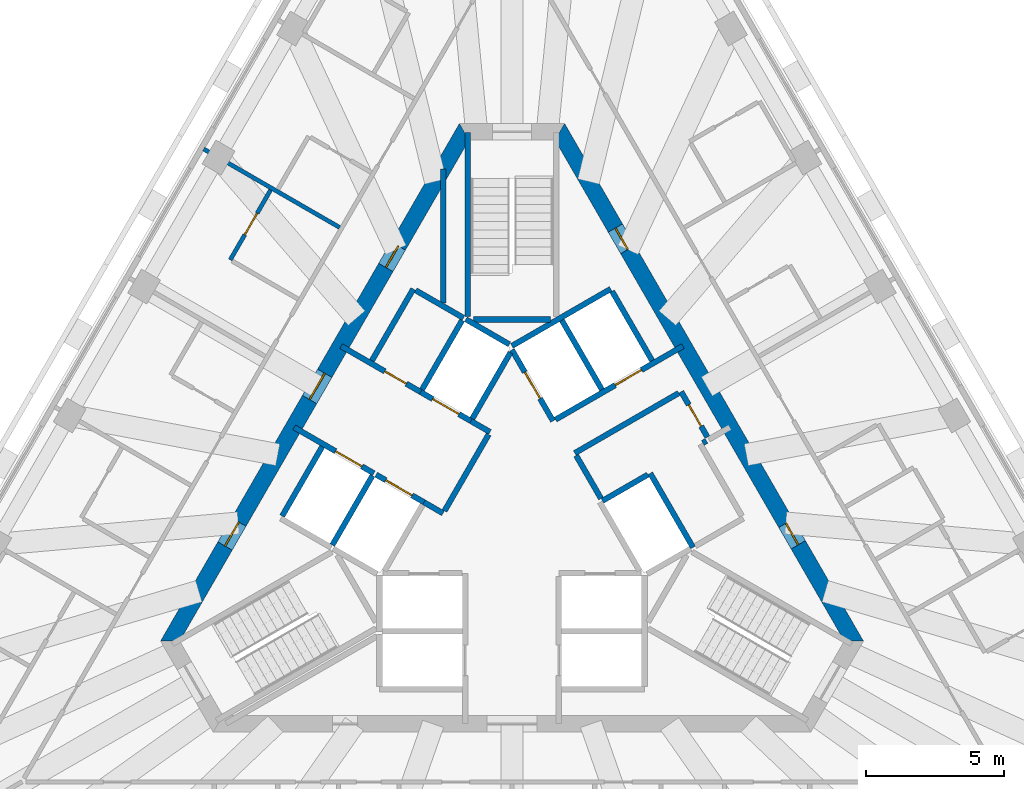
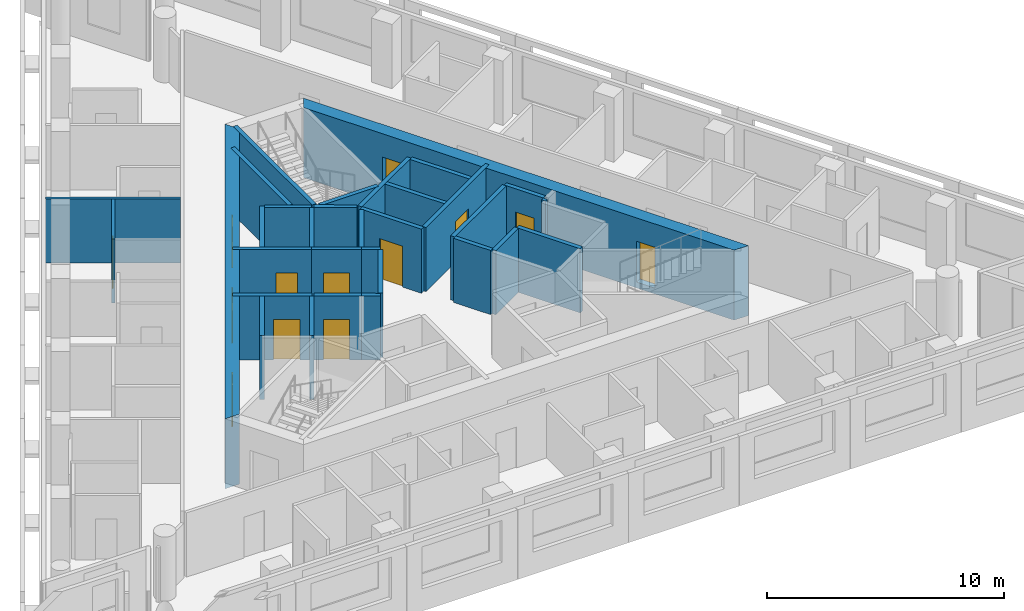
# One storey, part 5 of 10: 32 walls, 13 doors, 13 openings.
"""IFC4 building model written with IfcOpenShell, lengths in metres."""

from ifc_helpers import new_model, si_unit, direction, frame, frame_2d, origin, place, context, subcontext, project, spatial, polyline, rectangle, outline, extrude, material, layer, layer_set, type_object, element, fill, save


model = new_model("IFC4")

# Units and contexts
model_context = context("Model", 3, precision=1e-05, world=origin(), true_north=direction((0.0, 1.0)))
body_context = subcontext(model_context, "Body", "Model", "MODEL_VIEW")
ifc_project = project(units=[si_unit("LENGTHUNIT", "METRE"), si_unit("AREAUNIT", "SQUARE_METRE"), si_unit("VOLUMEUNIT", "CUBIC_METRE"), si_unit("PLANEANGLEUNIT", "RADIAN"), si_unit("MASSUNIT", "GRAM", prefix="KILO")], contexts=[model_context])

# Site, building, storey
site_placement = place(None, origin())
site = spatial("IfcSite", under=ifc_project, at=site_placement, CompositionType="ELEMENT")
building_placement = place(site_placement, origin())
building = spatial("IfcBuilding", under=site, at=building_placement, Name="Triada Interchange Tower", CompositionType="ELEMENT")
storey_placement = place(building_placement, frame((0.0, 0.0, 293.5)))
storey = spatial("IfcBuildingStorey", under=building, at=storey_placement, Name="L69", CompositionType="ELEMENT", Elevation=293.5)

# Walls
ifc_material_1 = material(Name="Concrete C30/37", Category="concrete")
ifc_layer_1 = layer(ifc_material_1, 0.199951171875)
ifc_layer_set_1 = layer_set([ifc_layer_1], Name="CORE WALL 200 EI 120")
wall_type_1 = type_object("IfcWallType", Name="CORE WALL 200 EI 120", PredefinedType="SOLIDWALL", material=ifc_layer_set_1)
wall_1_placement = place(storey_placement, frame((-8.325927734375, -0.6201171875, 0.0), z_axis=(0.0, 0.0, 1.0), x_axis=(0.500023687443, 0.866011727401, 0.0)))
element("IfcWall", 1, at=wall_1_placement, inside=storey, type_object=wall_type_1, Name="Wall L68 67", PredefinedType="SOLIDWALL", context=body_context, shape_type="SweptSolid", body=[
    extrude(rectangle(XDim=2.899658203125, YDim=0.199951171875, at=frame_2d((1.44970703125, 0.0))), origin(), (0.0, 0.0, 1.0), 3.300048828125),
])
wall_2_placement = place(storey_placement, frame((-0.001953125, 5.541015625, 0.0), z_axis=(0.0, 0.0, 1.0), x_axis=(0.86600155993, 0.500041296494, 0.0)))
element("IfcWall", 2, at=wall_2_placement, inside=storey, type_object=wall_type_1, Name="Wall L68 77", PredefinedType="SOLIDWALL", context=body_context, shape_type="SweptSolid", body=[
    extrude(rectangle(XDim=4.131591796875, YDim=0.199951171875, at=frame_2d((2.06591796875, 0.0))), origin(), (0.0, 0.0, 1.0), 3.300048828125),
])

# Wall, opening, door
wall_3_placement = place(storey_placement, frame((0.0, 5.39990234375, 0.0), z_axis=(0.0, 0.0, 1.0), x_axis=(0.500103862429, -0.865965430478, 0.0)))
wall_3 = element("IfcWall", 3, at=wall_3_placement, inside=storey, type_object=wall_type_1, Name="Wall L68 78", PredefinedType="SOLIDWALL", context=body_context, shape_type="SweptSolid", body=[
    extrude(rectangle(XDim=2.973388671875, YDim=0.199951171875, at=frame_2d((1.48681640625, 0.0))), origin(), (0.0, 0.0, 1.0), 3.300048828125),
])
opening_1_placement = place(wall_3_placement, frame((0.93701171875, 0.0, 0.0)))
opening_1 = element("IfcOpeningElement", 4, at=opening_1_placement, cuts=wall_3, Name="Opening LD-HR5", PredefinedType="OPENING", context=body_context, shape_type="SweptSolid", body=[
    extrude(rectangle(XDim=1.10009765625, YDim=2.10009765625, at=frame_2d((0.550048828125, 1.050048828125))), frame((0.0, 0.10986328125, 0.0), z_axis=(0.0, -1.0, 0.0), x_axis=(1.0, 0.0, 0.0)), (0.0, 0.0, 1.0), 0.219970703125),
])
ifc_material_2 = material(Name="Steel S235 door leaf", Category="steel")
door_type_1 = type_object("IfcDoorType", Name="LIFT LANDING DOOR 1100 EI 120", OperationType="SLIDING_TO_LEFT", PredefinedType="DOOR", material=ifc_material_2)
door_1_placement = place(opening_1_placement, origin())
door_1 = element("IfcDoor", 5, at=door_1_placement, inside=storey, type_object=door_type_1, Name="HR5 landing door L69", OperationType="SLIDING_TO_LEFT", OverallHeight=2.10009765625, OverallWidth=1.10009765625, PredefinedType="DOOR", context=body_context, shape_type="SweptSolid", body=[
    extrude(rectangle(XDim=1.10009765625, YDim=2.10009765625, at=frame_2d((0.550048828125, 1.050048828125))), frame((0.0, 0.02490234375, 0.0), z_axis=(0.0, -1.0, 0.0), x_axis=(1.0, 0.0, 0.0)), (0.0, 0.0, 1.0), 0.050048828125),
])
fill(opening_1, door_1)

wall_4_placement = place(storey_placement, frame((1.577880859375, 2.8740234375, 0.0), z_axis=(0.0, 0.0, 1.0), x_axis=(0.866045911672, 0.499964477614, 0.0)))
wall_4 = element("IfcWall", 6, at=wall_4_placement, inside=storey, type_object=wall_type_1, Name="Wall L68 80", PredefinedType="SOLIDWALL", context=body_context, shape_type="SweptSolid", body=[
    extrude(rectangle(XDim=5.32666015625, YDim=0.199951171875, at=frame_2d((2.663330078125, 0.0))), origin(), (0.0, 0.0, 1.0), 3.300048828125),
])
opening_2_placement = place(wall_4_placement, frame((2.49609375, 0.0, 0.0)))
opening_2 = element("IfcOpeningElement", 7, at=opening_2_placement, cuts=wall_4, Name="Opening LD-HR6", PredefinedType="OPENING", context=body_context, shape_type="SweptSolid", body=[
    extrude(rectangle(XDim=1.10009765625, YDim=2.10009765625, at=frame_2d((0.550048828125, 1.050048828125))), frame((0.0, 0.10986328125, 0.0), z_axis=(0.0, -1.0, 0.0), x_axis=(1.0, 0.0, 0.0)), (0.0, 0.0, 1.0), 0.219970703125),
])
door_2_placement = place(opening_2_placement, origin())
door_2 = element("IfcDoor", 8, at=door_2_placement, inside=storey, type_object=door_type_1, Name="HR6 landing door L69", OperationType="SLIDING_TO_LEFT", OverallHeight=2.10009765625, OverallWidth=1.10009765625, PredefinedType="DOOR", context=body_context, shape_type="SweptSolid", body=[
    extrude(rectangle(XDim=1.10009765625, YDim=2.10009765625, at=frame_2d((0.550048828125, 1.050048828125))), frame((0.0, 0.02490234375, 0.0), z_axis=(0.0, -1.0, 0.0), x_axis=(1.0, 0.0, 0.0)), (0.0, 0.0, 1.0), 0.050048828125),
])
fill(opening_2, door_2)

# Walls
for number, where, z_axis, x_axis, name in (
    (9, (3.6259765625, 7.52001953125, 0.0), (0.0, 0.0, 1.0), (0.500060147554, -0.865990674793, 0.0), "Wall L68 83"),
    (10, (1.806884765625, 6.469970703125, 0.0), (0.0, 0.0, 1.0), (0.50012328804, -0.865954211699, 0.0), "Wall L68 84"),
):
    element("IfcWall", number, at=place(storey_placement, frame(where, z_axis=z_axis, x_axis=x_axis)), inside=storey, type_object=wall_type_1, Name=name, PredefinedType="SOLIDWALL", context=body_context, shape_type="SweptSolid", body=[
        extrude(rectangle(XDim=2.899658203125, YDim=0.199951171875, at=frame_2d((1.44970703125, 0.0))), origin(), (0.0, 0.0, 1.0), 3.300048828125),
    ])
wall_5_placement = place(storey_placement, frame((5.007080078125, 0.927978515625, 0.0), z_axis=(0.0, 0.0, 1.0), x_axis=(0.499899694197, -0.866083307622, 0.0)))
element("IfcWall", 11, at=wall_5_placement, inside=storey, type_object=wall_type_1, Name="Wall L68 85", PredefinedType="SOLIDWALL", context=body_context, shape_type="SweptSolid", body=[
    extrude(rectangle(XDim=3.100341796875, YDim=0.199951171875, at=frame_2d((1.55029296875, 0.0))), origin(), (0.0, 0.0, 1.0), 3.300048828125),
])
wall_6_placement = place(storey_placement, frame((3.278076171875, -0.071044921875, 0.0), z_axis=(0.0, 0.0, 1.0), x_axis=(0.865784509405, 0.500417009377, 0.0)))
element("IfcWall", 12, at=wall_6_placement, inside=storey, type_object=wall_type_1, Name="Wall L68 86", PredefinedType="SOLIDWALL", context=body_context, shape_type="SweptSolid", body=[
    extrude(rectangle(XDim=1.896484375, YDim=0.199951171875, at=frame_2d((0.9482421875, 0.0))), origin(), (0.0, 0.0, 1.0), 3.300048828125),
])

# Wall, opening, door
wall_7_placement = place(storey_placement, frame((6.12890625, 3.885009765625, 0.0), z_axis=(0.0, 0.0, 1.0), x_axis=(0.499952260202, -0.866052964615, 0.0)))
wall_7 = element("IfcWall", 13, at=wall_7_placement, inside=storey, type_object=wall_type_1, Name="Wall L68 88", PredefinedType="SOLIDWALL", context=body_context, shape_type="SweptSolid", body=[
    extrude(rectangle(XDim=1.900634765625, YDim=0.199951171875, at=frame_2d((0.9501953125, 0.0))), origin(), (0.0, 0.0, 1.0), 3.300048828125),
])
opening_3_placement = place(wall_7_placement, frame((0.550048828125, 0.0, 0.0)))
opening_3 = element("IfcOpeningElement", 14, at=opening_3_placement, cuts=wall_7, Name="Opening D68-57", PredefinedType="OPENING", context=body_context, shape_type="SweptSolid", body=[
    extrude(rectangle(XDim=0.89990234375, YDim=2.10009765625, at=frame_2d((0.449951171875, 1.050048828125))), frame((0.0, 0.10986328125, 0.0), z_axis=(0.0, -1.0, 0.0), x_axis=(1.0, 0.0, 0.0)), (0.0, 0.0, 1.0), 0.219970703125),
])
door_type_2 = type_object("IfcDoorType", Name="SERVICE DOOR 900 EI2 45-C5S200", OperationType="NOTDEFINED", PredefinedType="DOOR", material=ifc_material_2)
door_3_placement = place(opening_3_placement, origin())
door_3 = element("IfcDoor", 15, at=door_3_placement, inside=storey, type_object=door_type_2, Name="Door D68-57 L69", OperationType="SINGLE_SWING_LEFT", OverallHeight=2.10009765625, OverallWidth=0.89990234375, PredefinedType="DOOR", context=body_context, shape_type="SweptSolid", body=[
    extrude(rectangle(XDim=0.89990234375, YDim=2.10009765625, at=frame_2d((0.449951171875, 1.050048828125))), frame((0.0, 0.02490234375, 0.0), z_axis=(0.0, -1.0, 0.0), x_axis=(1.0, 0.0, 0.0)), (0.0, 0.0, 1.0), 0.050048828125),
])
fill(opening_3, door_3)

# Walls
wall_8_placement = place(storey_placement, frame((2.27490234375, 1.659912109375, 0.0), z_axis=(0.0, 0.0, 1.0), x_axis=(0.866013608182, 0.500020430026, 0.0)))
element("IfcWall", 16, at=wall_8_placement, inside=storey, type_object=wall_type_1, Name="Wall L68 89", PredefinedType="SOLIDWALL", context=body_context, shape_type="SweptSolid", body=[
    extrude(rectangle(XDim=4.349853515625, YDim=0.199951171875, at=frame_2d((2.1748046875, 0.0))), origin(), (0.0, 0.0, 1.0), 3.300048828125),
])
wall_9_placement = place(storey_placement, frame((2.324951171875, 1.572998046875, 0.0), z_axis=(0.0, 0.0, 1.0), x_axis=(0.500004188491, -0.866022985545, 0.0)))
element("IfcWall", 17, at=wall_9_placement, inside=storey, type_object=wall_type_1, Name="Wall L68 90", PredefinedType="SOLIDWALL", context=body_context, shape_type="SweptSolid", body=[
    extrude(rectangle(XDim=1.80029296875, YDim=0.199951171875, at=frame_2d((0.900146484375, 0.0))), origin(), (0.0, 0.0, 1.0), 3.300048828125),
])

# Wall, opening, door
ifc_layer_2 = layer(ifc_material_1, 0.199951171875)
ifc_layer_set_2 = layer_set([ifc_layer_2], Name="CORE WALL 200 EI 180")
wall_type_2 = type_object("IfcWallType", Name="CORE WALL 200 EI 180", PredefinedType="SOLIDWALL", material=ifc_layer_set_2)
wall_10_placement = place(storey_placement, frame((-7.89111328125, 2.593017578125, 0.0), z_axis=(0.0, 0.0, 1.0), x_axis=(0.866070917804, -0.499921159118, 0.0)))
wall_10 = element("IfcWall", 18, at=wall_10_placement, inside=storey, type_object=wall_type_2, Name="Wall L68 92", PredefinedType="SOLIDWALL", context=body_context, shape_type="SweptSolid", body=[
    extrude(rectangle(XDim=3.33251953125, YDim=0.199951171875, at=frame_2d((1.666259765625, 0.0))), origin(), (0.0, 0.0, 1.0), 3.300048828125),
])
opening_4_placement = place(wall_10_placement, frame((1.72998046875, 0.0, 0.0)))
opening_4 = element("IfcOpeningElement", 19, at=opening_4_placement, cuts=wall_10, Name="Opening LD-SV1", PredefinedType="OPENING", context=body_context, shape_type="SweptSolid", body=[
    extrude(rectangle(XDim=1.10009765625, YDim=2.10009765625, at=frame_2d((0.550048828125, 1.050048828125))), frame((0.0, 0.10986328125, 0.0), z_axis=(0.0, -1.0, 0.0), x_axis=(1.0, 0.0, 0.0)), (0.0, 0.0, 1.0), 0.219970703125),
])
door_4_placement = place(opening_4_placement, origin())
door_4 = element("IfcDoor", 20, at=door_4_placement, inside=storey, type_object=door_type_1, Name="SV1 landing door L69", OperationType="SLIDING_TO_LEFT", OverallHeight=2.10009765625, OverallWidth=1.10009765625, PredefinedType="DOOR", context=body_context, shape_type="SweptSolid", body=[
    extrude(rectangle(XDim=1.10009765625, YDim=2.10009765625, at=frame_2d((0.550048828125, 1.050048828125))), frame((0.0, 0.02490234375, 0.0), z_axis=(0.0, -1.0, 0.0), x_axis=(1.0, 0.0, 0.0)), (0.0, 0.0, 1.0), 0.050048828125),
])
fill(opening_4, door_4)

# Wall
wall_11_placement = place(storey_placement, frame((-3.18798828125, -0.1220703125, 0.0), z_axis=(0.0, 0.0, 1.0), x_axis=(0.865705793592, -0.50055317294, 0.0)))
element("IfcWall", 21, at=wall_11_placement, inside=storey, type_object=wall_type_2, Name="Wall L68 93", PredefinedType="SOLIDWALL", context=body_context, shape_type="SweptSolid", body=[
    extrude(rectangle(XDim=0.796875, YDim=0.199951171875, at=frame_2d((0.3984375, 0.0))), origin(), (0.0, 0.0, 1.0), 3.300048828125),
])

# Wall, opening, door
wall_12_placement = place(storey_placement, frame((-6.19091796875, 5.537109375, 0.0), z_axis=(0.0, 0.0, 1.0), x_axis=(0.866052607023, -0.499952879648, 0.0)))
wall_12 = element("IfcWall", 22, at=wall_12_placement, inside=storey, type_object=wall_type_2, Name="Wall L68 94", PredefinedType="SOLIDWALL", context=body_context, shape_type="SweptSolid", body=[
    extrude(rectangle(XDim=3.332275390625, YDim=0.199951171875, at=frame_2d((1.666015625, 0.0))), origin(), (0.0, 0.0, 1.0), 3.300048828125),
])
opening_5_placement = place(wall_12_placement, frame((1.830078125, 0.0, 0.0)))
opening_5 = element("IfcOpeningElement", 23, at=opening_5_placement, cuts=wall_12, Name="Opening D68-10", PredefinedType="OPENING", context=body_context, shape_type="SweptSolid", body=[
    extrude(rectangle(XDim=0.89990234375, YDim=2.10009765625, at=frame_2d((0.449951171875, 1.050048828125))), frame((0.0, 0.10986328125, 0.0), z_axis=(0.0, -1.0, 0.0), x_axis=(1.0, 0.0, 0.0)), (0.0, 0.0, 1.0), 0.219970703125),
])
door_type_3 = type_object("IfcDoorType", Name="SERVICE DOOR 900 EI2 90-C5S200", OperationType="NOTDEFINED", PredefinedType="DOOR", material=ifc_material_2)
door_5_placement = place(opening_5_placement, origin())
door_5 = element("IfcDoor", 24, at=door_5_placement, inside=storey, type_object=door_type_3, Name="Door D68-10 L69", OperationType="SINGLE_SWING_LEFT", OverallHeight=2.10009765625, OverallWidth=0.89990234375, PredefinedType="DOOR", context=body_context, shape_type="SweptSolid", body=[
    extrude(rectangle(XDim=0.89990234375, YDim=2.10009765625, at=frame_2d((0.449951171875, 1.050048828125))), frame((0.0, 0.02490234375, 0.0), z_axis=(0.0, -1.0, 0.0), x_axis=(1.0, 0.0, 0.0)), (0.0, 0.0, 1.0), 0.050048828125),
])
fill(opening_5, door_5)

# Walls
wall_13_placement = place(storey_placement, frame((-1.488037109375, 2.822021484375, 0.0), z_axis=(0.0, 0.0, 1.0), x_axis=(0.866236612152, -0.499633997809, 0.0)))
element("IfcWall", 25, at=wall_13_placement, inside=storey, type_object=wall_type_2, Name="Wall L68 95", PredefinedType="SOLIDWALL", context=body_context, shape_type="SweptSolid", body=[
    extrude(rectangle(XDim=0.79638671875, YDim=0.199951171875, at=frame_2d((0.398193359375, 0.0))), origin(), (0.0, 0.0, 1.0), 3.300048828125),
])
wall_14_placement = place(storey_placement, frame((-5.075927734375, 5.009033203125, 0.0), z_axis=(0.0, 0.0, 1.0), x_axis=(0.50002537861, 0.866010750942, 0.0)))
element("IfcWall", 26, at=wall_14_placement, inside=storey, type_object=wall_type_2, Name="Wall L68 96", PredefinedType="SOLIDWALL", context=body_context, shape_type="SweptSolid", body=[
    extrude(rectangle(XDim=2.999755859375, YDim=0.199951171875, at=frame_2d((1.5, 0.0))), origin(), (0.0, 0.0, 1.0), 3.300048828125),
])
wall_15_placement = place(storey_placement, frame((-3.489013671875, 7.556884765625, 0.0), z_axis=(0.0, 0.0, 1.0), x_axis=(0.866010750942, -0.50002537861, 0.0)))
element("IfcWall", 27, at=wall_15_placement, inside=storey, type_object=wall_type_2, Name="Wall L68 97", PredefinedType="SOLIDWALL", context=body_context, shape_type="SweptSolid", body=[
    extrude(rectangle(XDim=2.0, YDim=0.199951171875, at=frame_2d((1.0, 0.0))), origin(), (0.0, 0.0, 1.0), 3.300048828125),
])
wall_16_placement = place(storey_placement, frame((-2.444091796875, -0.43310546875, 0.0), z_axis=(0.0, 0.0, 1.0), x_axis=(0.500035624827, 0.866004834804, 0.0)))
element("IfcWall", 28, at=wall_16_placement, inside=storey, type_object=wall_type_2, Name="Wall L68 98", PredefinedType="SOLIDWALL", context=body_context, shape_type="SweptSolid", body=[
    extrude(rectangle(XDim=3.194091796875, YDim=0.199951171875, at=frame_2d((1.59716796875, 0.0))), origin(), (0.0, 0.0, 1.0), 3.300048828125),
])
wall_17_placement = place(storey_placement, frame((-6.507080078125, -1.669921875, 0.0), z_axis=(0.0, 0.0, 1.0), x_axis=(0.50012328804, 0.865954211699, 0.0)))
element("IfcWall", 29, at=wall_17_placement, inside=storey, type_object=wall_type_2, Name="Shaft wall FF1 L68 99", PredefinedType="SOLIDWALL", context=body_context, shape_type="SweptSolid", body=[
    extrude(rectangle(XDim=2.899658203125, YDim=0.199951171875, at=frame_2d((1.44970703125, 0.0))), origin(), (0.0, 0.0, 1.0), 3.300048828125),
])

# Wall, opening, door
wall_18_placement = place(storey_placement, frame((-4.922119140625, 0.87890625, 0.0), z_axis=(0.0, 0.0, 1.0), x_axis=(0.866073918653, -0.499915960366, 0.0)))
wall_18 = element("IfcWall", 30, at=wall_18_placement, inside=storey, type_object=wall_type_2, Name="Shaft wall FF1 L68 101", PredefinedType="SOLIDWALL", context=body_context, shape_type="SweptSolid", body=[
    extrude(rectangle(XDim=2.002197265625, YDim=0.199951171875, at=frame_2d((1.0009765625, 0.0))), origin(), (0.0, 0.0, 1.0), 3.300048828125),
])
opening_6_placement = place(wall_18_placement, frame((0.402099609375, 0.0, 0.0)))
opening_6 = element("IfcOpeningElement", 31, at=opening_6_placement, cuts=wall_18, Name="Opening LD-FF1", PredefinedType="OPENING", context=body_context, shape_type="SweptSolid", body=[
    extrude(rectangle(XDim=1.10009765625, YDim=2.10009765625, at=frame_2d((0.550048828125, 1.050048828125))), frame((0.0, 0.10986328125, 0.0), z_axis=(0.0, -1.0, 0.0), x_axis=(1.0, 0.0, 0.0)), (0.0, 0.0, 1.0), 0.219970703125),
])
door_6_placement = place(opening_6_placement, origin())
door_6 = element("IfcDoor", 32, at=door_6_placement, inside=storey, type_object=door_type_1, Name="FF1 landing door L69", OperationType="SLIDING_TO_LEFT", OverallHeight=2.10009765625, OverallWidth=1.10009765625, PredefinedType="DOOR", context=body_context, shape_type="SweptSolid", body=[
    extrude(rectangle(XDim=1.10009765625, YDim=2.10009765625, at=frame_2d((0.550048828125, 1.050048828125))), frame((0.0, 0.02490234375, 0.0), z_axis=(0.0, -1.0, 0.0), x_axis=(1.0, 0.0, 0.0)), (0.0, 0.0, 1.0), 0.050048828125),
])
fill(opening_6, door_6)

wall_19_placement = place(storey_placement, frame((-3.30908203125, 3.873046875, 0.0), z_axis=(0.0, 0.0, 1.0), x_axis=(0.866098583652, -0.499873227325, 0.0)))
wall_19 = element("IfcWall", 33, at=wall_19_placement, inside=storey, type_object=wall_type_2, Name="Shaft wall FF2 L68 103", PredefinedType="SOLIDWALL", context=body_context, shape_type="SweptSolid", body=[
    extrude(rectangle(XDim=2.1025390625, YDim=0.199951171875, at=frame_2d((1.05126953125, 0.0))), origin(), (0.0, 0.0, 1.0), 3.300048828125),
])
opening_7_placement = place(wall_19_placement, frame((0.501953125, 0.0, 0.0)))
opening_7 = element("IfcOpeningElement", 34, at=opening_7_placement, cuts=wall_19, Name="Opening LD-FF2", PredefinedType="OPENING", context=body_context, shape_type="SweptSolid", body=[
    extrude(rectangle(XDim=1.10009765625, YDim=2.10009765625, at=frame_2d((0.550048828125, 1.050048828125))), frame((0.0, 0.10986328125, 0.0), z_axis=(0.0, -1.0, 0.0), x_axis=(1.0, 0.0, 0.0)), (0.0, 0.0, 1.0), 0.219970703125),
])
door_7_placement = place(opening_7_placement, origin())
door_7 = element("IfcDoor", 35, at=door_7_placement, inside=storey, type_object=door_type_1, Name="FF2 landing door L69", OperationType="SLIDING_TO_LEFT", OverallHeight=2.10009765625, OverallWidth=1.10009765625, PredefinedType="DOOR", context=body_context, shape_type="SweptSolid", body=[
    extrude(rectangle(XDim=1.10009765625, YDim=2.10009765625, at=frame_2d((0.550048828125, 1.050048828125))), frame((0.0, 0.02490234375, 0.0), z_axis=(0.0, -1.0, 0.0), x_axis=(1.0, 0.0, 0.0)), (0.0, 0.0, 1.0), 0.050048828125),
])
fill(opening_7, door_7)

# Walls
wall_20_placement = place(storey_placement, frame((-3.257080078125, 3.958984375, 0.0), z_axis=(0.0, 0.0, 1.0), x_axis=(0.50012328804, 0.865954211699, 0.0)))
element("IfcWall", 36, at=wall_20_placement, inside=storey, type_object=wall_type_2, Name="Shaft wall FF2 L68 104", PredefinedType="SOLIDWALL", context=body_context, shape_type="SweptSolid", body=[
    extrude(rectangle(XDim=2.899658203125, YDim=0.199951171875, at=frame_2d((1.44970703125, 0.0))), origin(), (0.0, 0.0, 1.0), 3.300048828125),
])
wall_21_placement = place(storey_placement, frame((-1.669921875, 6.507080078125, 0.0), z_axis=(0.0, 0.0, 1.0), x_axis=(0.865941441609, -0.500145398563, 0.0)))
element("IfcWall", 37, at=wall_21_placement, inside=storey, type_object=wall_type_2, Name="Shaft wall FF2 L68 105", PredefinedType="SOLIDWALL", context=body_context, shape_type="SweptSolid", body=[
    extrude(rectangle(XDim=1.8154296875, YDim=0.199951171875, at=frame_2d((0.90771484375, 0.0))), origin(), (0.0, 0.0, 1.0), 3.300048828125),
])
wall_22_placement = place(storey_placement, frame((-1.43798828125, 2.908935546875, 0.0), z_axis=(0.0, 0.0, 1.0), x_axis=(0.499829630636, 0.866123744241, 0.0)))
element("IfcWall", 38, at=wall_22_placement, inside=storey, type_object=wall_type_2, Name="Shaft wall FF2 L68 106", PredefinedType="SOLIDWALL", context=body_context, shape_type="SweptSolid", body=[
    extrude(rectangle(XDim=2.7607421875, YDim=0.199951171875, at=frame_2d((1.38037109375, 0.0))), origin(), (0.0, 0.0, 1.0), 3.300048828125),
])
ifc_layer_3 = layer(ifc_material_1, 0.199951171875)
ifc_layer_set_3 = layer_set([ifc_layer_3], Name="CORE WALL 200 EI 90")
wall_type_3 = type_object("IfcWallType", Name="CORE WALL 200 EI 90", PredefinedType="SOLIDWALL", material=ifc_layer_set_3)
wall_23_placement = place(storey_placement, frame((-2.48291015625, 7.092041015625, 0.0), z_axis=(0.0, 0.0, 1.0), x_axis=(0.0, 1.0, 0.0)))
element("IfcWall", 39, at=wall_23_placement, inside=storey, type_object=wall_type_3, Name="Wall L68 108", PredefinedType="SOLIDWALL", context=body_context, shape_type="SweptSolid", body=[
    extrude(rectangle(XDim=4.866943359375, YDim=0.199951171875, at=frame_2d((2.43359375, 0.0))), origin(), (0.0, 0.0, 1.0), 3.300048828125),
])
wall_24_placement = place(storey_placement, frame((6.912109375, 2.028076171875, 0.0), z_axis=(0.0, 0.0, 1.0), x_axis=(0.866559367082, 0.499074005857, 0.0)))
element("IfcWall", 40, at=wall_24_placement, inside=storey, type_object=wall_type_3, Name="Wall L68 111", PredefinedType="SOLIDWALL", context=body_context, shape_type="SweptSolid", body=[
    extrude(rectangle(XDim=0.152099609375, YDim=0.199951171875, at=frame_2d((0.076171875, 0.0))), origin(), (0.0, 0.0, 1.0), 3.300048828125),
])
ifc_layer_4 = layer(ifc_material_1, 0.199951171875)
ifc_layer_set_4 = layer_set([ifc_layer_4], Name="CORE WALL 200 REI 240")
wall_type_4 = type_object("IfcWallType", Name="CORE WALL 200 REI 240", PredefinedType="SOLIDWALL", material=ifc_layer_set_4)
wall_25_placement = place(storey_placement, frame((-1.39990234375, 6.5, 0.0), z_axis=(0.0, 0.0, 1.0), x_axis=(1.0, 0.0, 0.0)))
element("IfcWall", 41, at=wall_25_placement, inside=storey, type_object=wall_type_4, Name="Wall L68 116", PredefinedType="SOLIDWALL", context=body_context, shape_type="SweptSolid", body=[
    extrude(rectangle(XDim=2.7998046875, YDim=0.199951171875, at=frame_2d((1.39990234375, 0.0))), origin(), (0.0, 0.0, 1.0), 3.300048828125),
])
wall_26_placement = place(storey_placement, frame((-1.60009765625, 6.614990234375, 0.0), z_axis=(0.0, 0.0, 1.0), x_axis=(0.0, 1.0, 0.0)))
element("IfcWall", 42, at=wall_26_placement, inside=storey, type_object=wall_type_4, Name="Wall L68 117", PredefinedType="SOLIDWALL", context=body_context, shape_type="SweptSolid", body=[
    extrude(rectangle(XDim=6.6650390625, YDim=0.199951171875, at=frame_2d((3.33251953125, 0.0))), origin(), (0.0, 0.0, 1.0), 3.300048828125),
])

# Wall, openings, doors
ifc_material_3 = material(Name="Concrete C40/50", Category="concrete")
ifc_layer_5 = layer(ifc_material_3, 0.60009765625)
ifc_layer_set_5 = layer_set([ifc_layer_5], Name="Core wall D 600")
wall_type_5 = type_object("IfcWallType", Name="Core wall D 600", PredefinedType="SHEAR", material=ifc_layer_set_5)
wall_27_placement = place(storey_placement, frame((-1.73193359375, 13.300048828125, -0.300048828125), z_axis=(0.0, 0.0, 1.0), x_axis=(-0.500000539815, -0.866025092122, 0.0)))
wall_27 = element("IfcWall", 43, at=wall_27_placement, inside=storey, type_object=wall_type_5, Name="Core wall WD02 L69", PredefinedType="SHEAR", context=body_context, shape_type="SweptSolid", body=[
    extrude(outline(polyline([(-0.173095703125, -0.300048828125), (1.795166015625, -0.300048828125), (3.763427734375, -0.30029296875), (5.731689453125, -0.30029296875), (7.699951171875, -0.30029296875), (9.668212890625, -0.300537109375), (11.63671875, -0.300537109375), (13.60498046875, -0.30078125), (15.5732421875, -0.30078125), (17.54150390625, -0.30078125), (19.509765625, -0.301025390625), (21.47802734375, -0.301025390625), (21.131103515625, 0.300048828125), (19.225830078125, 0.300048828125), (17.320556640625, 0.300048828125), (15.415283203125, 0.300048828125), (13.510009765625, 0.300048828125), (11.604736328125, 0.300048828125), (9.699462890625, 0.300048828125), (7.794189453125, 0.300048828125), (5.888916015625, 0.300048828125), (3.983642578125, 0.300048828125), (2.078369140625, 0.300048828125), (0.173095703125, 0.300048828125), (-0.173095703125, -0.300048828125)])), origin(), (0.0, 0.0, 1.0), 3.60009765625),
])
opening_8_placement = place(wall_27_placement, frame((10.10205078125, 0.0, 0.300048828125)))
opening_8 = element("IfcOpeningElement", 44, at=opening_8_placement, cuts=wall_27, Name="Opening D68-51", PredefinedType="OPENING", context=body_context, shape_type="SweptSolid", body=[
    extrude(rectangle(XDim=1.10009765625, YDim=2.10009765625, at=frame_2d((0.550048828125, 1.050048828125))), frame((0.0, 0.31005859375, 0.0), z_axis=(0.0, -1.0, 0.0), x_axis=(1.0, 0.0, 0.0)), (0.0, 0.0, 1.0), 0.62109375),
])
opening_9_placement = place(wall_27_placement, frame((16.327880859375, 0.0, 0.300048828125)))
opening_9 = element("IfcOpeningElement", 45, at=opening_9_placement, cuts=wall_27, Name="Opening D68-52", PredefinedType="OPENING", context=body_context, shape_type="SweptSolid", body=[
    extrude(rectangle(XDim=1.0, YDim=2.10009765625, at=frame_2d((0.5, 1.050048828125))), frame((0.0, 0.31005859375, 0.0), z_axis=(0.0, -1.0, 0.0), x_axis=(1.0, 0.0, 0.0)), (0.0, 0.0, 1.0), 0.62109375),
])
opening_10_placement = place(wall_27_placement, frame((4.777099609375, 0.0, 0.300048828125)))
opening_10 = element("IfcOpeningElement", 46, at=opening_10_placement, cuts=wall_27, Name="Opening D68-54", PredefinedType="OPENING", context=body_context, shape_type="SweptSolid", body=[
    extrude(rectangle(XDim=0.89990234375, YDim=2.10009765625, at=frame_2d((0.449951171875, 1.050048828125))), frame((0.0, 0.31005859375, 0.0), z_axis=(0.0, -1.0, 0.0), x_axis=(1.0, 0.0, 0.0)), (0.0, 0.0, 1.0), 0.62109375),
])
door_type_4 = type_object("IfcDoorType", Name="FIRE LOBBY DOOR 1100 EI2 90-C5S200", OperationType="NOTDEFINED", PredefinedType="DOOR", material=ifc_material_2)
door_8_placement = place(opening_8_placement, origin())
door_8 = element("IfcDoor", 47, at=door_8_placement, inside=storey, type_object=door_type_4, Name="Door D68-51 L69", OperationType="SINGLE_SWING_RIGHT", OverallHeight=2.10009765625, OverallWidth=1.10009765625, PredefinedType="DOOR", context=body_context, shape_type="SweptSolid", body=[
    extrude(rectangle(XDim=1.10009765625, YDim=2.10009765625, at=frame_2d((0.550048828125, 1.050048828125))), frame((0.0, 0.02490234375, 0.0), z_axis=(0.0, -1.0, 0.0), x_axis=(1.0, 0.0, 0.0)), (0.0, 0.0, 1.0), 0.050048828125),
])
fill(opening_8, door_8)
door_type_5 = type_object("IfcDoorType", Name="SERVICE DOOR 1000 EI2 45-C5S200", OperationType="NOTDEFINED", PredefinedType="DOOR", material=ifc_material_2)
door_9_placement = place(opening_9_placement, origin())
door_9 = element("IfcDoor", 48, at=door_9_placement, inside=storey, type_object=door_type_5, Name="Door D68-52 L69", OperationType="SINGLE_SWING_RIGHT", OverallHeight=2.10009765625, OverallWidth=1.0, PredefinedType="DOOR", context=body_context, shape_type="SweptSolid", body=[
    extrude(rectangle(XDim=1.0, YDim=2.10009765625, at=frame_2d((0.5, 1.050048828125))), frame((0.0, 0.02490234375, 0.0), z_axis=(0.0, -1.0, 0.0), x_axis=(1.0, 0.0, 0.0)), (0.0, 0.0, 1.0), 0.050048828125),
])
fill(opening_9, door_9)
door_10_placement = place(opening_10_placement, origin())
door_10 = element("IfcDoor", 49, at=door_10_placement, inside=storey, type_object=door_type_2, Name="Door D68-54 L69", OperationType="SINGLE_SWING_RIGHT", OverallHeight=2.10009765625, OverallWidth=0.89990234375, PredefinedType="DOOR", context=body_context, shape_type="SweptSolid", body=[
    extrude(rectangle(XDim=0.89990234375, YDim=2.10009765625, at=frame_2d((0.449951171875, 1.050048828125))), frame((0.0, 0.02490234375, 0.0), z_axis=(0.0, -1.0, 0.0), x_axis=(1.0, 0.0, 0.0)), (0.0, 0.0, 1.0), 0.050048828125),
])
fill(opening_10, door_10)

wall_28_placement = place(storey_placement, frame((12.384033203125, -5.14990234375, -0.300048828125), z_axis=(0.0, 0.0, 1.0), x_axis=(-0.500000539815, 0.866025092122, 0.0)))
wall_28 = element("IfcWall", 50, at=wall_28_placement, inside=storey, type_object=wall_type_5, Name="Core wall WD06 L69", PredefinedType="SHEAR", context=body_context, shape_type="SweptSolid", body=[
    extrude(outline(polyline([(-0.173095703125, -0.301025390625), (1.795166015625, -0.301025390625), (3.76318359375, -0.30078125), (5.7314453125, -0.30078125), (7.69970703125, -0.30078125), (9.66796875, -0.300537109375), (11.635986328125, -0.300537109375), (13.604248046875, -0.30029296875), (15.572509765625, -0.30029296875), (17.540771484375, -0.30029296875), (19.5087890625, -0.300048828125), (21.47705078125, -0.300048828125), (21.131103515625, 0.300048828125), (19.225830078125, 0.300048828125), (17.320556640625, 0.300048828125), (15.415283203125, 0.300048828125), (13.510009765625, 0.300048828125), (11.604736328125, 0.300048828125), (9.699462890625, 0.300048828125), (7.794189453125, 0.300048828125), (5.888916015625, 0.300048828125), (3.983642578125, 0.300048828125), (2.078369140625, 0.300048828125), (0.173095703125, 0.300048828125), (-0.173095703125, -0.301025390625)])), origin(), (0.0, 0.0, 1.0), 3.60009765625),
])
opening_11_placement = place(wall_28_placement, frame((16.3779296875, 0.0, 0.300048828125)))
opening_11 = element("IfcOpeningElement", 51, at=opening_11_placement, cuts=wall_28, Name="Opening D68-55", PredefinedType="OPENING", context=body_context, shape_type="SweptSolid", body=[
    extrude(rectangle(XDim=0.89990234375, YDim=2.10009765625, at=frame_2d((0.449951171875, 1.050048828125))), frame((0.0, 0.31005859375, 0.0), z_axis=(0.0, -1.0, 0.0), x_axis=(1.0, 0.0, 0.0)), (0.0, 0.0, 1.0), 0.62109375),
])
opening_12_placement = place(wall_28_placement, frame((4.02587890625, 0.0, 0.300048828125)))
opening_12 = element("IfcOpeningElement", 52, at=opening_12_placement, cuts=wall_28, Name="Opening D68-56", PredefinedType="OPENING", context=body_context, shape_type="SweptSolid", body=[
    extrude(rectangle(XDim=0.89990234375, YDim=2.10009765625, at=frame_2d((0.449951171875, 1.050048828125))), frame((0.0, 0.31005859375, 0.0), z_axis=(0.0, -1.0, 0.0), x_axis=(1.0, 0.0, 0.0)), (0.0, 0.0, 1.0), 0.62109375),
])
door_type_6 = type_object("IfcDoorType", Name="RISER ACCESS DOOR 900 EI2 45-C5S200", OperationType="NOTDEFINED", PredefinedType="DOOR", material=ifc_material_2)
door_11_placement = place(opening_11_placement, origin())
door_11 = element("IfcDoor", 53, at=door_11_placement, inside=storey, type_object=door_type_6, Name="Door D68-55 L69", OperationType="SINGLE_SWING_RIGHT", OverallHeight=2.10009765625, OverallWidth=0.89990234375, PredefinedType="DOOR", context=body_context, shape_type="SweptSolid", body=[
    extrude(rectangle(XDim=0.89990234375, YDim=2.10009765625, at=frame_2d((0.449951171875, 1.050048828125))), frame((0.0, 0.02490234375, 0.0), z_axis=(0.0, -1.0, 0.0), x_axis=(1.0, 0.0, 0.0)), (0.0, 0.0, 1.0), 0.050048828125),
])
fill(opening_11, door_11)
door_12_placement = place(opening_12_placement, origin())
door_12 = element("IfcDoor", 54, at=door_12_placement, inside=storey, type_object=door_type_2, Name="Door D68-56 L69", OperationType="SINGLE_SWING_RIGHT", OverallHeight=2.10009765625, OverallWidth=0.89990234375, PredefinedType="DOOR", context=body_context, shape_type="SweptSolid", body=[
    extrude(rectangle(XDim=0.89990234375, YDim=2.10009765625, at=frame_2d((0.449951171875, 1.050048828125))), frame((0.0, 0.02490234375, 0.0), z_axis=(0.0, -1.0, 0.0), x_axis=(1.0, 0.0, 0.0)), (0.0, 0.0, 1.0), 0.050048828125),
])
fill(opening_12, door_12)

# Wall
ifc_material_4 = material(Name="Gypsum board partition")
ifc_layer_6 = layer(ifc_material_4, 0.14990234375)
ifc_layer_set_6 = layer_set([ifc_layer_6], Name="PARTITION 150 EI 180")
wall_type_6 = type_object("IfcWallType", Name="PARTITION 150 EI 180", PredefinedType="PARTITIONING", material=ifc_layer_set_6)
wall_29_placement = place(storey_placement, frame((-11.16796875, 12.677001953125, 0.0), z_axis=(0.0, 0.0, 1.0), x_axis=(0.866017549727, -0.50001360338, 0.0)))
element("IfcWall", 55, at=wall_29_placement, inside=storey, type_object=wall_type_6, Name="Wall L68 9", PredefinedType="PARTITIONING", context=body_context, shape_type="SweptSolid", body=[
    extrude(rectangle(XDim=5.685791015625, YDim=0.14990234375, at=frame_2d((2.8427734375, 0.0))), origin(), (0.0, 0.0, 1.0), 3.300048828125),
])

# Wall, opening, door
ifc_layer_7 = layer(ifc_material_4, 0.14990234375)
ifc_layer_set_7 = layer_set([ifc_layer_7], Name="PARTITION 150 EI 90")
wall_type_7 = type_object("IfcWallType", Name="PARTITION 150 EI 90", PredefinedType="PARTITIONING", material=ifc_layer_set_7)
wall_30_placement = place(storey_placement, frame((-10.2080078125, 8.658935546875, 0.0), z_axis=(0.0, 0.0, 1.0), x_axis=(0.499874209568, 0.866098016745, 0.0)))
wall_30 = element("IfcWall", 56, at=wall_30_placement, inside=storey, type_object=wall_type_7, Name="Wall L68 36", PredefinedType="PARTITIONING", context=body_context, shape_type="SweptSolid", body=[
    extrude(rectangle(XDim=2.924560546875, YDim=0.14990234375, at=frame_2d((1.46240234375, 0.0))), origin(), (0.0, 0.0, 1.0), 3.300048828125),
])
opening_13_placement = place(wall_30_placement, frame((1.050048828125, 0.0, 0.0)))
opening_13 = element("IfcOpeningElement", 57, at=opening_13_placement, cuts=wall_30, Name="Opening D68-39", PredefinedType="OPENING", context=body_context, shape_type="SweptSolid", body=[
    extrude(rectangle(XDim=0.89990234375, YDim=2.10009765625, at=frame_2d((0.449951171875, 1.050048828125))), frame((0.0, 0.0849609375, 0.0), z_axis=(0.0, -1.0, 0.0), x_axis=(1.0, 0.0, 0.0)), (0.0, 0.0, 1.0), 0.169921875),
])
door_type_7 = type_object("IfcDoorType", Name="ROOM DOOR 900 EI2 45-C5S200", OperationType="NOTDEFINED", PredefinedType="DOOR", material=ifc_material_2)
door_13_placement = place(opening_13_placement, origin())
door_13 = element("IfcDoor", 58, at=door_13_placement, inside=storey, type_object=door_type_7, Name="Door D68-39 L69", OperationType="SINGLE_SWING_LEFT", OverallHeight=2.10009765625, OverallWidth=0.89990234375, PredefinedType="DOOR", context=body_context, shape_type="SweptSolid", body=[
    extrude(rectangle(XDim=0.89990234375, YDim=2.10009765625, at=frame_2d((0.449951171875, 1.050048828125))), frame((0.0, 0.02490234375, 0.0), z_axis=(0.0, -1.0, 0.0), x_axis=(1.0, 0.0, 0.0)), (0.0, 0.0, 1.0), 0.050048828125),
])
fill(opening_13, door_13)

save(model, "model.ifc")
